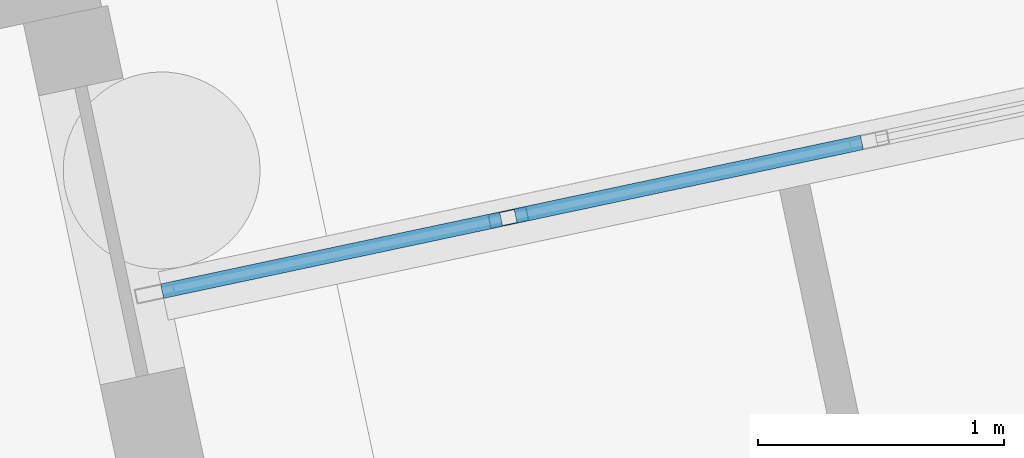
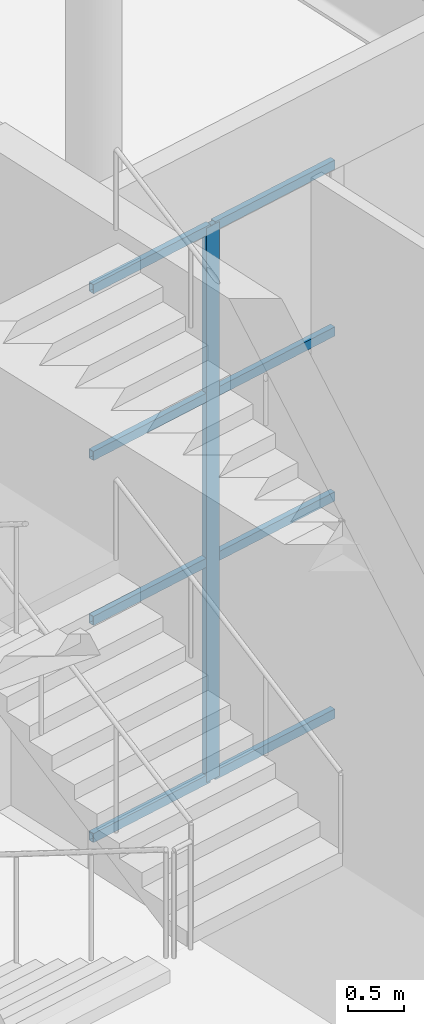
# One storey, part 69 of 239: 9 members, 1 element without a shape of its own.
"""IFC4 building model written with IfcOpenShell, lengths in metres."""

from ifc_helpers import new_model, si_unit, direction, frame, origin, origin_2d, place, context, subcontext, project, spatial, hollow_rectangle, extrude, material, material_profile, profile_set, type_object, element, aggregate, save


model = new_model("IFC4")

# Units and contexts
model_context = context("Model", 3, precision=1e-05, world=origin(), true_north=direction((0.0, 1.0)))
body_context = subcontext(model_context, "Body", "Model", "MODEL_VIEW")
ifc_project = project(units=[si_unit("LENGTHUNIT", "METRE"), si_unit("AREAUNIT", "SQUARE_METRE"), si_unit("VOLUMEUNIT", "CUBIC_METRE"), si_unit("PLANEANGLEUNIT", "RADIAN"), si_unit("MASSUNIT", "GRAM", prefix="KILO")], contexts=[model_context])

# Site, building, storey
site_placement = place(None, origin())
site = spatial("IfcSite", under=ifc_project, at=site_placement, CompositionType="ELEMENT")
building_placement = place(site_placement, origin())
building = spatial("IfcBuilding", under=site, at=building_placement, Name="Okhra Congress Centre", CompositionType="ELEMENT")
storey_placement = place(building_placement, origin())
storey = spatial("IfcBuildingStorey", under=building, at=storey_placement, Name="L00", CompositionType="ELEMENT", Elevation=0.0)

# Curtain wall, members
ifc_material_1 = material(Name="Aluminium curtain wall, triple glazing", Category="aluminium")
curtain_wall_type = type_object("IfcCurtainWallType", Name="Curtain wall 1500 module", PredefinedType="NOTDEFINED", material=ifc_material_1)
curtain_wall_placement = place(storey_placement, origin())
curtain_wall = element("IfcCurtainWall", 1, at=curtain_wall_placement, inside=storey, type_object=curtain_wall_type, Name="Ground curtain wall N8", PredefinedType="NOTDEFINED")
ifc_material_2 = material(Name="Aluminium alloy EN AW-6063 T66", Category="aluminium")
ifc_material_profile_1 = material_profile(ifc_material_2, hollow_rectangle(XDim=0.06005859375, YDim=0.159912109375, WallThickness=0.00390625, at=origin_2d()), Name="RHS 60x160x4")
ifc_profile_set_1 = profile_set([ifc_material_profile_1], Name="Aluminium alloy EN AW-6063 T66")
member_type_1 = type_object("IfcMemberType", Name="Curtain wall mullion 60x160", PredefinedType="MULLION", material=ifc_profile_set_1)
member_1_placement = place(storey_placement, frame((111.3544921875, 57.082763671875, 0.0), z_axis=(0.0, 0.0, 1.0), x_axis=(-0.207911690818, 0.978147600734, 0.0)))
member_1 = element("IfcMember", 2, at=member_1_placement, type_object=member_type_1, Name="CW7 mullion 2", PredefinedType="MULLION", context=body_context, shape_type="SweptSolid", body=[
    extrude(hollow_rectangle(XDim=0.06005859375, YDim=0.159912109375, WallThickness=0.00390625, at=origin_2d()), origin(), (0.0, 0.0, 1.0), 6.050048828125),
])
ifc_material_profile_2 = material_profile(ifc_material_2, hollow_rectangle(XDim=0.06005859375, YDim=0.10009765625, WallThickness=0.00390625, at=origin_2d()), Name="RHS 60x100x4")
ifc_profile_set_2 = profile_set([ifc_material_profile_2], Name="Aluminium alloy EN AW-6063 T66")
member_type_2 = type_object("IfcMemberType", Name="Curtain wall transom 60x100", PredefinedType="USERDEFINED", material=ifc_profile_set_2)
member_2_placement = place(storey_placement, frame((109.9482421875, 56.783935546875, 0.030029296875), z_axis=(0.978168989507, 0.20781103909, 0.0), x_axis=(-0.20781103909, 0.978168989507, 0.0)))
member_2 = element("IfcMember", 3, at=member_2_placement, type_object=member_type_2, Name="CW7 transom 1.1", ObjectType="TRANSOM", PredefinedType="USERDEFINED", context=body_context, shape_type="SweptSolid", body=[
    extrude(hollow_rectangle(XDim=0.06005859375, YDim=0.10009765625, WallThickness=0.00390625, at=origin_2d()), origin(), (0.0, 0.0, 1.0), 1.407470703125),
])
member_3_placement = place(storey_placement, frame((109.9482421875, 56.783935546875, 2.39990234375), z_axis=(0.978168989507, 0.20781103909, 0.0), x_axis=(-0.20781103909, 0.978168989507, 0.0)))
member_3 = element("IfcMember", 4, at=member_3_placement, type_object=member_type_2, Name="CW7 transom 1.2", ObjectType="TRANSOM", PredefinedType="USERDEFINED", context=body_context, shape_type="SweptSolid", body=[
    extrude(hollow_rectangle(XDim=0.06005859375, YDim=0.10009765625, WallThickness=0.00390625, at=origin_2d()), origin(), (0.0, 0.0, 1.0), 1.407470703125),
])
member_4_placement = place(storey_placement, frame((109.9482421875, 56.783935546875, 4.199951171875), z_axis=(0.978168989507, 0.20781103909, 0.0), x_axis=(-0.20781103909, 0.978168989507, 0.0)))
member_4 = element("IfcMember", 5, at=member_4_placement, type_object=member_type_2, Name="CW7 transom 1.3", ObjectType="TRANSOM", PredefinedType="USERDEFINED", context=body_context, shape_type="SweptSolid", body=[
    extrude(hollow_rectangle(XDim=0.06005859375, YDim=0.10009765625, WallThickness=0.00390625, at=origin_2d()), origin(), (0.0, 0.0, 1.0), 1.407470703125),
])
member_5_placement = place(storey_placement, frame((109.9482421875, 56.783935546875, 6.02001953125), z_axis=(0.978168989507, 0.20781103909, 0.0), x_axis=(-0.20781103909, 0.978168989507, 0.0)))
member_5 = element("IfcMember", 6, at=member_5_placement, type_object=member_type_2, Name="CW7 transom 1.4", ObjectType="TRANSOM", PredefinedType="USERDEFINED", context=body_context, shape_type="SweptSolid", body=[
    extrude(hollow_rectangle(XDim=0.06005859375, YDim=0.10009765625, WallThickness=0.00390625, at=origin_2d()), origin(), (0.0, 0.0, 1.0), 1.407470703125),
])
member_6_placement = place(storey_placement, frame((111.3837890625, 57.089111328125, 0.030029296875), z_axis=(0.978151512004, 0.207893288886, 0.0), x_axis=(-0.207893288886, 0.978151512004, 0.0)))
member_6 = element("IfcMember", 7, at=member_6_placement, type_object=member_type_2, Name="CW7 transom 2.1", ObjectType="TRANSOM", PredefinedType="USERDEFINED", context=body_context, shape_type="SweptSolid", body=[
    extrude(hollow_rectangle(XDim=0.06005859375, YDim=0.10009765625, WallThickness=0.00390625, at=origin_2d()), origin(), (0.0, 0.0, 1.0), 1.4375),
])
member_7_placement = place(storey_placement, frame((111.3837890625, 57.089111328125, 2.39990234375), z_axis=(0.978151512004, 0.207893288886, 0.0), x_axis=(-0.207893288886, 0.978151512004, 0.0)))
member_7 = element("IfcMember", 8, at=member_7_placement, type_object=member_type_2, Name="CW7 transom 2.2", ObjectType="TRANSOM", PredefinedType="USERDEFINED", context=body_context, shape_type="SweptSolid", body=[
    extrude(hollow_rectangle(XDim=0.06005859375, YDim=0.10009765625, WallThickness=0.00390625, at=origin_2d()), origin(), (0.0, 0.0, 1.0), 1.4375),
])
member_8_placement = place(storey_placement, frame((111.3837890625, 57.089111328125, 4.199951171875), z_axis=(0.978151512004, 0.207893288886, 0.0), x_axis=(-0.207893288886, 0.978151512004, 0.0)))
member_8 = element("IfcMember", 9, at=member_8_placement, type_object=member_type_2, Name="CW7 transom 2.3", ObjectType="TRANSOM", PredefinedType="USERDEFINED", context=body_context, shape_type="SweptSolid", body=[
    extrude(hollow_rectangle(XDim=0.06005859375, YDim=0.10009765625, WallThickness=0.00390625, at=origin_2d()), origin(), (0.0, 0.0, 1.0), 1.4375),
])
member_9_placement = place(storey_placement, frame((111.3837890625, 57.089111328125, 6.02001953125), z_axis=(0.978151512004, 0.207893288886, 0.0), x_axis=(-0.207893288886, 0.978151512004, 0.0)))
member_9 = element("IfcMember", 10, at=member_9_placement, type_object=member_type_2, Name="CW7 transom 2.4", ObjectType="TRANSOM", PredefinedType="USERDEFINED", context=body_context, shape_type="SweptSolid", body=[
    extrude(hollow_rectangle(XDim=0.06005859375, YDim=0.10009765625, WallThickness=0.00390625, at=origin_2d()), origin(), (0.0, 0.0, 1.0), 1.4375),
])
aggregate(curtain_wall, [member_1, member_2, member_3, member_4, member_5, member_6, member_7, member_8, member_9])

save(model, "model.ifc")
